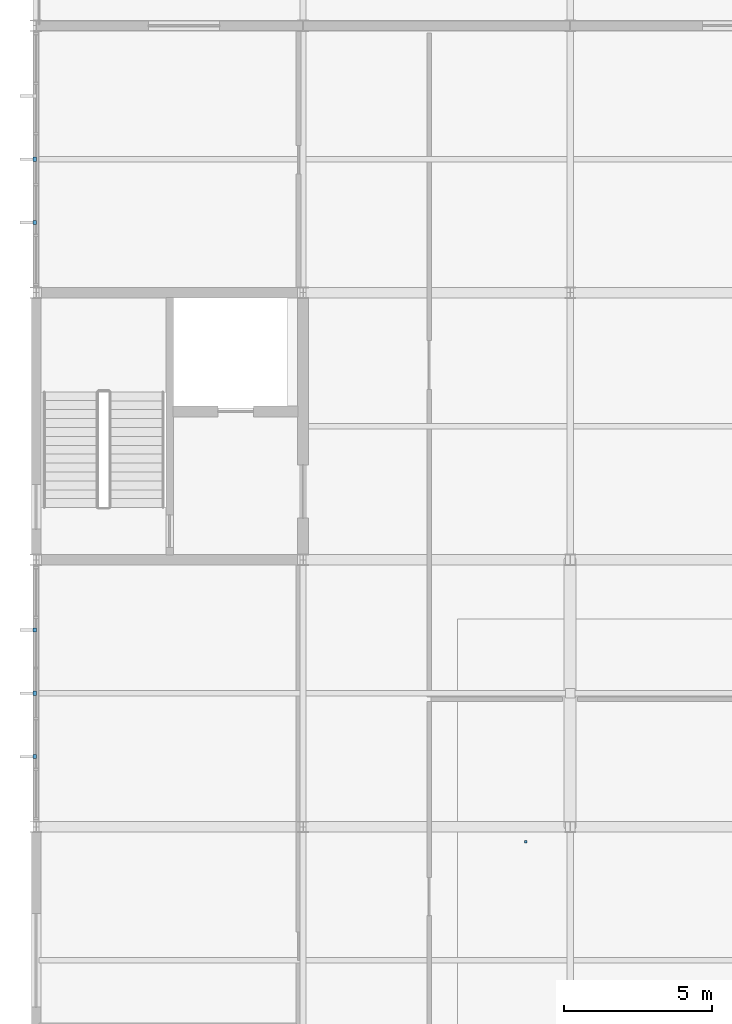
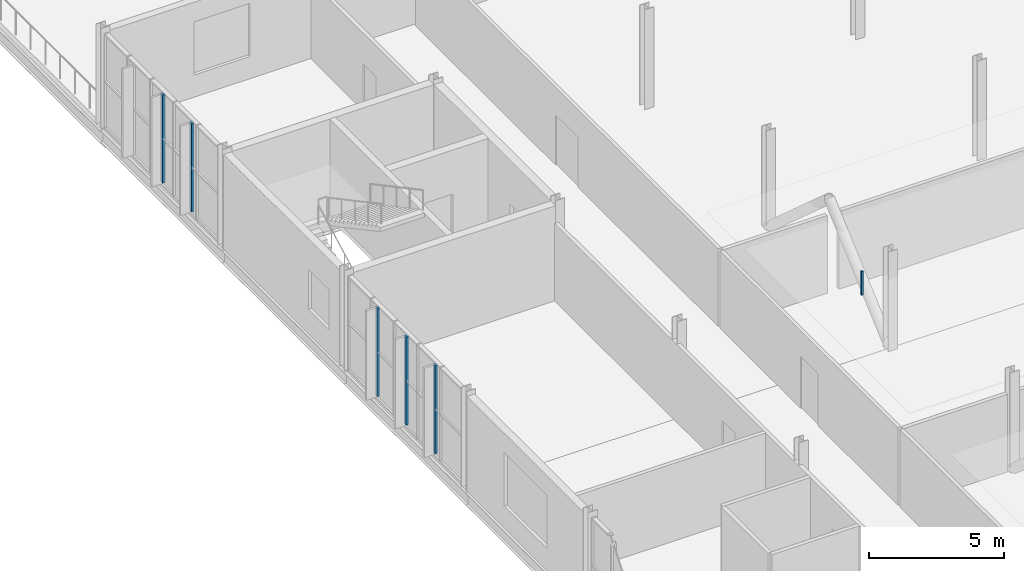
# One storey, part 91 of 103: 6 discrete accessories.
"""IFC4 building model written with IfcOpenShell, lengths in metres."""

from ifc_helpers import new_model, si_unit, direction, frame, origin, origin_2d, place, context, subcontext, project, spatial, rectangle, extrude, material, type_object, element, save


model = new_model("IFC4")

# Units and contexts
model_context = context("Model", 3, precision=1e-05, world=origin(), true_north=direction((0.0, 1.0)))
body_context = subcontext(model_context, "Body", "Model", "MODEL_VIEW")
ifc_project = project(units=[si_unit("LENGTHUNIT", "METRE"), si_unit("AREAUNIT", "SQUARE_METRE"), si_unit("VOLUMEUNIT", "CUBIC_METRE"), si_unit("PLANEANGLEUNIT", "RADIAN"), si_unit("MASSUNIT", "GRAM", prefix="KILO")], contexts=[model_context])

# Site, building, storey
site_placement = place(None, origin())
site = spatial("IfcSite", under=ifc_project, at=site_placement, CompositionType="ELEMENT")
building_placement = place(site_placement, origin())
building = spatial("IfcBuilding", under=site, at=building_placement, Name="Cazmaro Siding Exhibition Halls", CompositionType="ELEMENT")
storey_placement = place(building_placement, frame((0.0, 0.0, 16.5)))
storey = spatial("IfcBuildingStorey", under=building, at=storey_placement, Name="L03", CompositionType="ELEMENT", Elevation=16.5)

# Discrete accessories
ifc_material_1 = material(Name="Steel ASTM A572 Grade 50", Category="steel")
discrete_accessory_type_1 = type_object("IfcDiscreteAccessoryType", Name="SBK-01", PredefinedType="BRACKET", material=ifc_material_1)
for number, where, z_axis, x_axis, name in (
    (1, (-0.0400390625, 84.366943359375, 0.14990234375), (0.0, 0.0, 1.0), (1.0, 0.0, 0.0), "Solar Fin Steel Support Bracket SBK-01 040"),
    (2, (-0.0400390625, 86.5, 0.14990234375), (0.0, 0.0, 1.0), (1.0, 0.0, 0.0), "Solar Fin Steel Support Bracket SBK-01 041"),
    (3, (-0.0400390625, 88.633056640625, 0.14990234375), (0.0, 0.0, 1.0), (1.0, 0.0, 0.0), "Solar Fin Steel Support Bracket SBK-01 042"),
    (4, (-0.0400390625, 102.366943359375, 0.14990234375), (0.0, 0.0, 1.0), (1.0, 0.0, 0.0), "Solar Fin Steel Support Bracket SBK-01 043"),
    (5, (-0.0400390625, 104.5, 0.14990234375), (0.0, 0.0, 1.0), (1.0, 0.0, 0.0), "Solar Fin Steel Support Bracket SBK-01 044"),
):
    element("IfcDiscreteAccessory", number, at=place(storey_placement, frame(where, z_axis=z_axis, x_axis=x_axis)), inside=storey, type_object=discrete_accessory_type_1, Name=name, PredefinedType="BRACKET", context=body_context, shape_type="SweptSolid", body=[
        extrude(rectangle(XDim=0.1201171875, YDim=0.139892578125, at=origin_2d()), origin(), (0.0, 0.0, 1.0), 3.97998046875),
    ])
ifc_material_2 = material(Name="Steel ASTM A572 Grade 50", Category="steel")
discrete_accessory_type_2 = type_object("IfcDiscreteAccessoryType", Name="SBK-02", PredefinedType="BRACKET", material=ifc_material_2)
discrete_accessory_placement = place(storey_placement, frame((16.5, 81.5, 3.2197265625), z_axis=(0.0, 0.0, 1.0), x_axis=(1.0, 0.0, 0.0)))
element("IfcDiscreteAccessory", 6, at=discrete_accessory_placement, inside=storey, type_object=discrete_accessory_type_2, Name="Ceiling Cloud Hanger Bracket SBK-02 015", PredefinedType="BRACKET", context=body_context, shape_type="SweptSolid", body=[
    extrude(rectangle(XDim=0.080078125, YDim=0.080078125, at=origin_2d()), origin(), (0.0, 0.0, 1.0), 1.070068359375),
])

save(model, "model.ifc")
